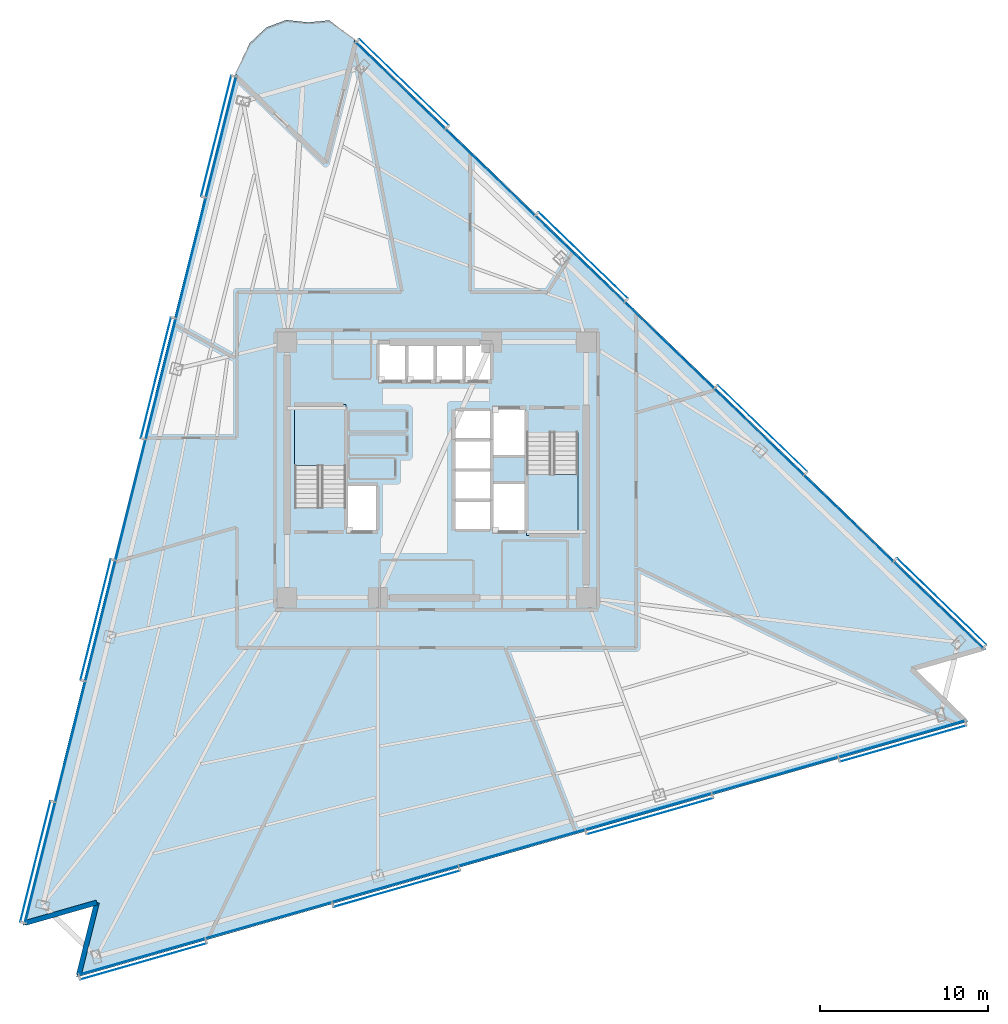
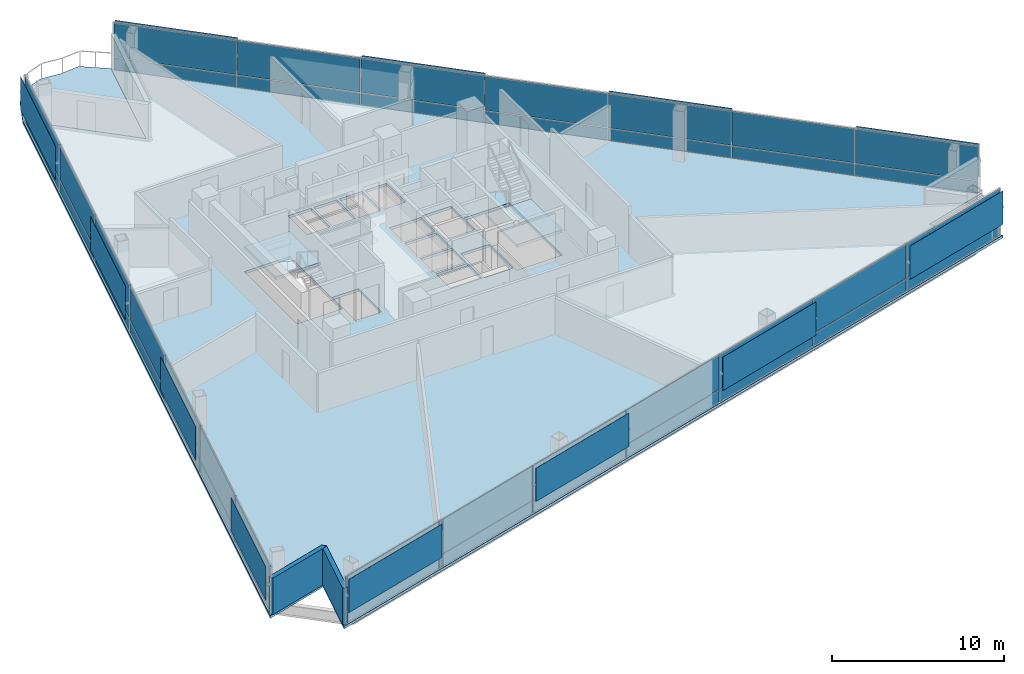
# One storey, part 8 of 17: 54 plates, 4 slabs, 2 walls, 5 elements without a shape of their own.
"""IFC4 building model written with IfcOpenShell, lengths in metres."""

import ifcopenshell
import ifcopenshell.guid

model = None  # the IFC model being written
_history = None  # IfcOwnerHistory: only IFC2X3 demands one
_inside = {}  # id of a spatial element -> (the spatial element, [elements in it])
_under = {}  # id of a project, library or spatial element -> (it, [spatial elements below it])
_declared = {}  # id of a project -> (the project, [libraries it declares])
_typed = {}  # id of a type object -> (the type object, [elements of that type])
_made_of = {}  # id of a material, layer set ... -> (it, [elements and type objects made of it])


def new_model(schema):
    """Start an empty IFC model of exactly this schema.

    Asked for "IFC4X3", IfcOpenShell would pick the latest addendum, in which some entities
    have other attributes; the version numbers below select the first issue.
    IFC2X3 requires an IfcOwnerHistory on every rooted entity: one is made here for all.
    """
    global model, _history
    if schema == "IFC4X3":
        model = ifcopenshell.file(schema_version=(4, 3, 0, 0))
    else:
        model = ifcopenshell.file(schema=schema)
    _inside.clear()
    _under.clear()
    _declared.clear()
    _typed.clear()
    _made_of.clear()
    _history = None
    if model.schema == "IFC2X3":
        org = make("IfcOrganization", Name="unknown")
        user = make(
            "IfcPersonAndOrganization",
            ThePerson=make("IfcPerson", FamilyName="unknown"),
            TheOrganization=org,
        )
        app = make(
            "IfcApplication",
            ApplicationDeveloper=org,
            Version="unknown",
            ApplicationFullName="unknown",
            ApplicationIdentifier="unknown",
        )
        _history = make(
            "IfcOwnerHistory",
            OwningUser=user,
            OwningApplication=app,
            ChangeAction="ADDED",
            CreationDate=0,
        )
    return model


def make(cls, **values):
    """One entity of the class cls with the attributes given. An attribute that is None is left unset."""
    return model.create_entity(
        cls, **{name: value for name, value in values.items() if value is not None}
    )


def rooted(cls, **values):
    """An entity with a GlobalId (a new one), such as an element, a storey or a relation."""
    return make(cls, GlobalId=ifcopenshell.guid.new(), OwnerHistory=_history, **values)


def si_unit(unit_type, name, prefix=None):
    """IfcSIUnit, for example si_unit("LENGTHUNIT", "METRE", prefix="MILLI")."""
    return make("IfcSIUnit", UnitType=unit_type, Prefix=prefix, Name=name)


def assignment(units):
    """IfcUnitAssignment: the units of a project."""
    return None if units is None else make("IfcUnitAssignment", Units=units)


def point(xyz):
    """IfcCartesianPoint."""
    return None if xyz is None else make("IfcCartesianPoint", Coordinates=xyz)


def direction(xyz):
    """IfcDirection."""
    return None if xyz is None else make("IfcDirection", DirectionRatios=xyz)


def frame(location, z_axis=None, x_axis=None):
    """IfcAxis2Placement3D, a coordinate frame: its origin and axes. An axis left out is left unset."""
    return make(
        "IfcAxis2Placement3D",
        Location=point(location),
        Axis=direction(z_axis),
        RefDirection=direction(x_axis),
    )


def frame_2d(location, x_axis=None):
    """IfcAxis2Placement2D, a coordinate frame in the plane: its origin and x axis."""
    return make(
        "IfcAxis2Placement2D", Location=point(location), RefDirection=direction(x_axis)
    )


def origin():
    """The frame at (0, 0, 0) with its axes left unset."""
    return frame((0.0, 0.0, 0.0))


def origin_2d():
    """The frame at (0, 0) in the plane with its x axis left unset."""
    return frame_2d((0.0, 0.0))


def place(relative_to, where):
    """IfcLocalPlacement: puts the frame where relative to a parent placement (None: the world)."""
    return make(
        "IfcLocalPlacement", PlacementRelTo=relative_to, RelativePlacement=where
    )


def context(
    kind, dimensions, precision=None, world=None, true_north=None, identifier=None
):
    """IfcGeometricRepresentationContext, for example the 3D "Model" context."""
    return make(
        "IfcGeometricRepresentationContext",
        ContextIdentifier=identifier,
        ContextType=kind,
        CoordinateSpaceDimension=dimensions,
        Precision=precision,
        WorldCoordinateSystem=world,
        TrueNorth=true_north,
    )


def subcontext(parent, identifier, kind, view, scale=None):
    """IfcGeometricRepresentationSubContext, for example "Body" below "Model"."""
    return make(
        "IfcGeometricRepresentationSubContext",
        ContextIdentifier=identifier,
        ContextType=kind,
        ParentContext=parent,
        TargetScale=scale,
        TargetView=view,
    )


def project(units=None, contexts=None):
    """IfcProject with its units and contexts."""
    return rooted(
        "IfcProject",
        Name="project",
        RepresentationContexts=contexts,
        UnitsInContext=assignment(units),
    )


def spatial(cls, under=None, at=None, **own):
    """A site, building, storey or space (cls), placed at a placement, below another one or the project."""
    s = rooted(cls, ObjectPlacement=at, **own)
    if under is not None:
        _under.setdefault(under.id(), (under, []))[1].append(s)
    return s


def polyline(points):
    """IfcPolyline through the points."""
    return make("IfcPolyline", Points=[point(p) for p in points])


def profile(cls, at=None, kind="AREA", **sizes):
    """A parametric profile (cls). Its sizes go by their IFC names, for example OverallWidth=200.0."""
    return make(cls, ProfileType=kind, Position=at, **sizes)


def rectangle(**sizes):
    """IfcRectangleProfileDef."""
    return profile("IfcRectangleProfileDef", **sizes)


def outline(outer, holes=None, kind="AREA"):
    """IfcArbitraryClosedProfileDef: a profile drawn as a closed curve; with holes, ...WithVoids."""
    if holes is None:
        return make("IfcArbitraryClosedProfileDef", ProfileType=kind, OuterCurve=outer)
    return make(
        "IfcArbitraryProfileDefWithVoids",
        ProfileType=kind,
        OuterCurve=outer,
        InnerCurves=holes,
    )


def extrude(swept, where, along, depth):
    """IfcExtrudedAreaSolid: the profile swept, set in the frame where, extruded along a direction by depth."""
    return make(
        "IfcExtrudedAreaSolid",
        SweptArea=swept,
        Position=where,
        ExtrudedDirection=direction(along),
        Depth=depth,
    )


def shape(context_of_items, identifier, shape_type, items):
    """IfcShapeRepresentation: the items that make up one representation, for example the "Body"."""
    return make(
        "IfcShapeRepresentation",
        ContextOfItems=context_of_items,
        RepresentationIdentifier=identifier,
        RepresentationType=shape_type,
        Items=items,
    )


def material(Name=None, Category=None):
    """IfcMaterial."""
    return make("IfcMaterial", Name=Name, Category=Category)


def layer(
    of_material, thickness, ventilated=None, Name=None, Category=None, Priority=None
):
    """IfcMaterialLayer: one layer of a wall or slab, of a material (None: an air gap)."""
    return make(
        "IfcMaterialLayer",
        Material=of_material,
        LayerThickness=thickness,
        IsVentilated=ventilated,
        Name=Name,
        Category=Category,
        Priority=Priority,
    )


def layer_set(layers, Name=None):
    """IfcMaterialLayerSet."""
    return make("IfcMaterialLayerSet", MaterialLayers=layers, LayerSetName=Name)


def made_of(thing, what):
    """Note that an element or type object is made of a material, layer set ...; save() writes the relation."""
    if what is not None:
        _made_of.setdefault(what.id(), (what, []))[1].append(thing)
    return thing


def type_object(cls, material=None, **own):
    """A type object (cls), such as IfcWallType, which elements share."""
    return made_of(rooted(cls, **own), material)


def element(
    cls,
    number,
    at=None,
    inside=None,
    cuts=None,
    type_object=None,
    material=None,
    context=None,
    identifier="Body",
    shape_type=None,
    held_by="IfcProductDefinitionShape",
    body=None,
    shapes=None,
    **own,
):
    """One element of the class cls, such as IfcWall. Its Tag is "e" and its number.

    at: its placement. inside: the storey or other place that contains it. cuts: it is an
    opening in that element (IfcRelVoidsElement). A single representation is given by context,
    identifier, shape_type and body (its items); several are given by shapes. held_by: the class
    of the entity that holds the representations. save() writes the other relations.
    """
    e = rooted(cls, Tag="e%d" % number, ObjectPlacement=at, **own)
    if body is not None:
        shapes = [shape(context, identifier, shape_type, body)]
    if shapes is not None:
        e.Representation = make(held_by, Representations=shapes)
    if inside is not None:
        _inside.setdefault(inside.id(), (inside, []))[1].append(e)
    if cuts is not None:
        rooted(
            "IfcRelVoidsElement", RelatingBuildingElement=cuts, RelatedOpeningElement=e
        )
    if type_object is not None:
        _typed.setdefault(type_object.id(), (type_object, []))[1].append(e)
    return made_of(e, material)


def aggregate(whole, parts):
    """IfcRelAggregates: a whole, such as a stair, and the parts it consists of."""
    return rooted("IfcRelAggregates", RelatingObject=whole, RelatedObjects=parts)


def save(model, path):
    """Write the relations noted so far, then the file.

    IfcRelAggregates (storeys below a building ...), IfcRelContainedInSpatialStructure (elements
    in a storey), IfcRelDefinesByType, IfcRelAssociatesMaterial and IfcRelDeclares: one each for
    every whole, place, type object, material and project.
    """
    for whole, parts in _under.values():
        aggregate(whole, parts)
    for where, things in _inside.values():
        rooted(
            "IfcRelContainedInSpatialStructure",
            RelatedElements=things,
            RelatingStructure=where,
        )
    for kind, things in _typed.values():
        rooted("IfcRelDefinesByType", RelatedObjects=things, RelatingType=kind)
    for what, things in _made_of.values():
        rooted("IfcRelAssociatesMaterial", RelatedObjects=things, RelatingMaterial=what)
    for by, libraries in _declared.values():
        rooted("IfcRelDeclares", RelatingContext=by, RelatedDefinitions=libraries)
    model.write(path)


model = new_model("IFC4")

# Units and contexts
model_context = context("Model", 3, precision=1e-05, world=origin(), true_north=direction((0.0, 1.0)))
body_context = subcontext(model_context, "Body", "Model", "MODEL_VIEW")
ifc_project = project(units=[si_unit("LENGTHUNIT", "METRE"), si_unit("AREAUNIT", "SQUARE_METRE"), si_unit("VOLUMEUNIT", "CUBIC_METRE"), si_unit("PLANEANGLEUNIT", "RADIAN"), si_unit("MASSUNIT", "GRAM", prefix="KILO")], contexts=[model_context])

# Site, building, storey
site_placement = place(None, origin())
site = spatial("IfcSite", under=ifc_project, at=site_placement, CompositionType="ELEMENT")
building_placement = place(site_placement, origin())
building = spatial("IfcBuilding", under=site, at=building_placement, Name="Tharavind Bronze Gate", CompositionType="ELEMENT")
storey_placement = place(building_placement, frame((0.0, 0.0, 93.300048828125)))
storey = spatial("IfcBuildingStorey", under=building, at=storey_placement, Name="L23", CompositionType="ELEMENT", Elevation=93.300048828125)

# Plates
ifc_material_1 = material(Name="Perforated Bronze Alloy", Category="bronze")
ifc_layer_1 = layer(ifc_material_1, 0.011962890625)
ifc_layer_set_1 = layer_set([ifc_layer_1], Name="Perforated Bronze Alloy")
plate_type_1 = type_object("IfcPlateType", Name="BRONZE PERFORATED SOLAR SCREEN", PredefinedType="USERDEFINED", material=ifc_layer_set_1)
for number, where, z_axis, x_axis, name in (
    (1, (-13.11669921875, 19.86865234375, 0.966552734375), (0.0, 0.0, 1.0), (-0.2419218956, -0.970295726276, 0.0), "CW-L23-S1 perforated bronze solar screen 1"),
    (2, (-16.7041015625, 5.480712890625, 0.966552734375), (0.0, 0.0, 1.0), (-0.2419218956, -0.970295726276, 0.0), "CW-L23-S1 perforated bronze solar screen 3"),
    (3, (-20.29150390625, -8.9072265625, 0.966552734375), (0.0, 0.0, 1.0), (-0.2419218956, -0.970295726276, 0.0), "CW-L23-S1 perforated bronze solar screen 5"),
    (4, (-23.878662109375, -23.295166015625, 0.966552734375), (0.0, 0.0, 1.0), (-0.2419218956, -0.970295726276, 0.0), "CW-L23-S1 perforated bronze solar screen 7"),
):
    element("IfcPlate", number, at=place(storey_placement, frame(where, z_axis=z_axis, x_axis=x_axis)), inside=storey, type_object=plate_type_1, Name=name, ObjectType="SCREEN", PredefinedType="USERDEFINED", context=body_context, shape_type="SweptSolid", body=[
        extrude(rectangle(XDim=7.394287109375, YDim=0.011962890625, at=origin_2d()), origin(), (0.0, 0.0, 1.0), 2.376953125),
    ])
for number, where, z_axis, x_axis, name in (
    (5, (-17.447509765625, -29.251220703125, 0.966552734375), (0.0, 0.0, 1.0), (0.961261695938, 0.275637355817, 0.0), "CW-L23-S2 perforated bronze solar screen 1"),
    (6, (-2.380615234375, -24.930908203125, 0.966552734375), (0.0, 0.0, 1.0), (0.961261695938, 0.275637355817, 0.0), "CW-L23-S2 perforated bronze solar screen 3"),
    (7, (12.686279296875, -20.610595703125, 0.966552734375), (0.0, 0.0, 1.0), (0.961261695938, 0.275637355817, 0.0), "CW-L23-S2 perforated bronze solar screen 5"),
    (8, (27.75341796875, -16.290283203125, 0.966552734375), (0.0, 0.0, 1.0), (0.961261695938, 0.275637355817, 0.0), "CW-L23-S2 perforated bronze solar screen 7"),
):
    element("IfcPlate", number, at=place(storey_placement, frame(where, z_axis=z_axis, x_axis=x_axis)), inside=storey, type_object=plate_type_1, Name=name, ObjectType="SCREEN", PredefinedType="USERDEFINED", context=body_context, shape_type="SweptSolid", body=[
        extrude(rectangle(XDim=7.817138671875, YDim=0.011962890625, at=origin_2d()), origin(), (0.0, 0.0, 1.0), 2.376953125),
    ])
for number, where, z_axis, x_axis, name in (
    (9, (30.05126953125, -7.8310546875, 0.966552734375), (0.0, 0.0, 1.0), (-0.719341012745, 0.694657114973, 0.0), "CW-L23-S3 perforated bronze solar screen 1"),
    (10, (19.384521484375, 2.469482421875, 0.966552734375), (0.0, 0.0, 1.0), (-0.719341012745, 0.694657114973, 0.0), "CW-L23-S3 perforated bronze solar screen 3"),
    (11, (8.718017578125, 12.770263671875, 0.966552734375), (0.0, 0.0, 1.0), (-0.719341012745, 0.694657114973, 0.0), "CW-L23-S3 perforated bronze solar screen 5"),
    (12, (-1.94873046875, 23.07080078125, 0.966552734375), (0.0, 0.0, 1.0), (-0.719341012745, 0.694657114973, 0.0), "CW-L23-S3 perforated bronze solar screen 7"),
):
    element("IfcPlate", number, at=place(storey_placement, frame(where, z_axis=z_axis, x_axis=x_axis)), inside=storey, type_object=plate_type_1, Name=name, ObjectType="SCREEN", PredefinedType="USERDEFINED", context=body_context, shape_type="SweptSolid", body=[
        extrude(rectangle(XDim=7.394287109375, YDim=0.011962890625, at=origin_2d()), origin(), (0.0, 0.0, 1.0), 2.376953125),
    ])

# Curtain wall, plates
ifc_material_2 = material(Name="Anodised Bronze Aluminium", Category="aluminium")
ifc_layer_2 = layer(ifc_material_2, 0.219970703125)
ifc_layer_set_2 = layer_set([ifc_layer_2], Name="Anodised Bronze Aluminium")
curtain_wall_type = type_object("IfcCurtainWallType", Name="UNITISED CURTAIN WALL LOWER OFFICE", PredefinedType="USERDEFINED", material=ifc_layer_set_2)
curtain_wall_1_placement = place(storey_placement, origin())
curtain_wall_1 = element("IfcCurtainWall", 13, at=curtain_wall_1_placement, inside=storey, type_object=curtain_wall_type, Name="L23 unitised curtain wall lower office CW-L23-S1", ObjectType="UNITISED CURTAIN WALL", PredefinedType="USERDEFINED")
ifc_material_3 = material(Name="Patinated Bronze Alloy Sheet", Category="bronze")
ifc_layer_3 = layer(ifc_material_3, 0.01611328125)
ifc_layer_set_3 = layer_set([ifc_layer_3], Name="Patinated Bronze Alloy Sheet")
plate_type_2 = type_object("IfcPlateType", Name="BRONZE SPANDREL CLADDING PANEL 16", PredefinedType="CURTAIN_PANEL", material=ifc_layer_set_3)
plate_1_placement = place(storey_placement, frame((-12.83056640625, 19.797119140625, 0.0263671875), z_axis=(0.0, 0.0, 1.0), x_axis=(-0.2419218956, -0.970295726276, 0.0)))
plate_1 = element("IfcPlate", 14, at=plate_1_placement, type_object=plate_type_2, Name="CW-L23-S1 bronze spandrel panel 1", PredefinedType="CURTAIN_PANEL", context=body_context, shape_type="SweptSolid", body=[
    extrude(rectangle(XDim=7.361083984375, YDim=0.01611328125, at=origin_2d()), origin(), (0.0, 0.0, 1.0), 0.846923828125),
])
plate_2_placement = place(storey_placement, frame((-14.624267578125, 12.603271484375, 0.0263671875), z_axis=(0.0, 0.0, 1.0), x_axis=(-0.2419218956, -0.970295726276, 0.0)))
plate_2 = element("IfcPlate", 15, at=plate_2_placement, type_object=plate_type_2, Name="CW-L23-S1 bronze spandrel panel 2", PredefinedType="CURTAIN_PANEL", context=body_context, shape_type="SweptSolid", body=[
    extrude(rectangle(XDim=7.361083984375, YDim=0.01611328125, at=origin_2d()), origin(), (0.0, 0.0, 1.0), 0.846923828125),
])
plate_3_placement = place(storey_placement, frame((-16.417724609375, 5.4091796875, 0.0263671875), z_axis=(0.0, 0.0, 1.0), x_axis=(-0.2419218956, -0.970295726276, 0.0)))
plate_3 = element("IfcPlate", 16, at=plate_3_placement, type_object=plate_type_2, Name="CW-L23-S1 bronze spandrel panel 3", PredefinedType="CURTAIN_PANEL", context=body_context, shape_type="SweptSolid", body=[
    extrude(rectangle(XDim=7.361083984375, YDim=0.01611328125, at=origin_2d()), origin(), (0.0, 0.0, 1.0), 0.846923828125),
])
plate_4_placement = place(storey_placement, frame((-18.21142578125, -1.78466796875, 0.0263671875), z_axis=(0.0, 0.0, 1.0), x_axis=(-0.2419218956, -0.970295726276, 0.0)))
plate_4 = element("IfcPlate", 17, at=plate_4_placement, type_object=plate_type_2, Name="CW-L23-S1 bronze spandrel panel 4", PredefinedType="CURTAIN_PANEL", context=body_context, shape_type="SweptSolid", body=[
    extrude(rectangle(XDim=7.361083984375, YDim=0.01611328125, at=origin_2d()), origin(), (0.0, 0.0, 1.0), 0.846923828125),
])
plate_5_placement = place(storey_placement, frame((-20.005126953125, -8.978759765625, 0.0263671875), z_axis=(0.0, 0.0, 1.0), x_axis=(-0.2419218956, -0.970295726276, 0.0)))
plate_5 = element("IfcPlate", 18, at=plate_5_placement, type_object=plate_type_2, Name="CW-L23-S1 bronze spandrel panel 5", PredefinedType="CURTAIN_PANEL", context=body_context, shape_type="SweptSolid", body=[
    extrude(rectangle(XDim=7.361083984375, YDim=0.01611328125, at=origin_2d()), origin(), (0.0, 0.0, 1.0), 0.846923828125),
])
plate_6_placement = place(storey_placement, frame((-21.798828125, -16.172607421875, 0.0263671875), z_axis=(0.0, 0.0, 1.0), x_axis=(-0.2419218956, -0.970295726276, 0.0)))
plate_6 = element("IfcPlate", 19, at=plate_6_placement, type_object=plate_type_2, Name="CW-L23-S1 bronze spandrel panel 6", PredefinedType="CURTAIN_PANEL", context=body_context, shape_type="SweptSolid", body=[
    extrude(rectangle(XDim=7.361083984375, YDim=0.01611328125, at=origin_2d()), origin(), (0.0, 0.0, 1.0), 0.846923828125),
])
plate_7_placement = place(storey_placement, frame((-23.592529296875, -23.36669921875, 0.0263671875), z_axis=(0.0, 0.0, 1.0), x_axis=(-0.2419218956, -0.970295726276, 0.0)))
plate_7 = element("IfcPlate", 20, at=plate_7_placement, type_object=plate_type_2, Name="CW-L23-S1 bronze spandrel panel 7", PredefinedType="CURTAIN_PANEL", context=body_context, shape_type="SweptSolid", body=[
    extrude(rectangle(XDim=7.361083984375, YDim=0.01611328125, at=origin_2d()), origin(), (0.0, 0.0, 1.0), 0.846923828125),
])

curtain_wall_2_placement = place(storey_placement, origin())
curtain_wall_2 = element("IfcCurtainWall", 21, at=curtain_wall_2_placement, inside=storey, type_object=curtain_wall_type, Name="L23 unitised curtain wall lower office CW-L23-S2", ObjectType="UNITISED CURTAIN WALL", PredefinedType="USERDEFINED")
plate_8_placement = place(storey_placement, frame((-17.52880859375, -28.9677734375, 0.0263671875), z_axis=(0.0, 0.0, 1.0), x_axis=(0.961261695938, 0.275637355817, 0.0)))
plate_8 = element("IfcPlate", 22, at=plate_8_placement, type_object=plate_type_2, Name="CW-L23-S2 bronze spandrel panel 1", PredefinedType="CURTAIN_PANEL", context=body_context, shape_type="SweptSolid", body=[
    extrude(rectangle(XDim=7.7841796875, YDim=0.01611328125, at=origin_2d()), origin(), (0.0, 0.0, 1.0), 0.846923828125),
])
plate_9_placement = place(storey_placement, frame((-9.995361328125, -26.8076171875, 0.0263671875), z_axis=(0.0, 0.0, 1.0), x_axis=(0.961261695938, 0.275637355817, 0.0)))
plate_9 = element("IfcPlate", 23, at=plate_9_placement, type_object=plate_type_2, Name="CW-L23-S2 bronze spandrel panel 2", PredefinedType="CURTAIN_PANEL", context=body_context, shape_type="SweptSolid", body=[
    extrude(rectangle(XDim=7.7841796875, YDim=0.01611328125, at=origin_2d()), origin(), (0.0, 0.0, 1.0), 0.846923828125),
])
plate_10_placement = place(storey_placement, frame((-2.4619140625, -24.647216796875, 0.0263671875), z_axis=(0.0, 0.0, 1.0), x_axis=(0.961261695938, 0.275637355817, 0.0)))
plate_10 = element("IfcPlate", 24, at=plate_10_placement, type_object=plate_type_2, Name="CW-L23-S2 bronze spandrel panel 3", PredefinedType="CURTAIN_PANEL", context=body_context, shape_type="SweptSolid", body=[
    extrude(rectangle(XDim=7.7841796875, YDim=0.01611328125, at=origin_2d()), origin(), (0.0, 0.0, 1.0), 0.846923828125),
])
plate_11_placement = place(storey_placement, frame((5.07177734375, -22.487060546875, 0.0263671875), z_axis=(0.0, 0.0, 1.0), x_axis=(0.961261695938, 0.275637355817, 0.0)))
plate_11 = element("IfcPlate", 25, at=plate_11_placement, type_object=plate_type_2, Name="CW-L23-S2 bronze spandrel panel 4", PredefinedType="CURTAIN_PANEL", context=body_context, shape_type="SweptSolid", body=[
    extrude(rectangle(XDim=7.7841796875, YDim=0.01611328125, at=origin_2d()), origin(), (0.0, 0.0, 1.0), 0.846923828125),
])
plate_12_placement = place(storey_placement, frame((12.60498046875, -20.326904296875, 0.0263671875), z_axis=(0.0, 0.0, 1.0), x_axis=(0.961261695938, 0.275637355817, 0.0)))
plate_12 = element("IfcPlate", 26, at=plate_12_placement, type_object=plate_type_2, Name="CW-L23-S2 bronze spandrel panel 5", PredefinedType="CURTAIN_PANEL", context=body_context, shape_type="SweptSolid", body=[
    extrude(rectangle(XDim=7.7841796875, YDim=0.01611328125, at=origin_2d()), origin(), (0.0, 0.0, 1.0), 0.846923828125),
])
plate_13_placement = place(storey_placement, frame((20.138671875, -18.166748046875, 0.0263671875), z_axis=(0.0, 0.0, 1.0), x_axis=(0.961261695938, 0.275637355817, 0.0)))
plate_13 = element("IfcPlate", 27, at=plate_13_placement, type_object=plate_type_2, Name="CW-L23-S2 bronze spandrel panel 6", PredefinedType="CURTAIN_PANEL", context=body_context, shape_type="SweptSolid", body=[
    extrude(rectangle(XDim=7.7841796875, YDim=0.01611328125, at=origin_2d()), origin(), (0.0, 0.0, 1.0), 0.846923828125),
])
plate_14_placement = place(storey_placement, frame((27.672119140625, -16.006591796875, 0.0263671875), z_axis=(0.0, 0.0, 1.0), x_axis=(0.961261695938, 0.275637355817, 0.0)))
plate_14 = element("IfcPlate", 28, at=plate_14_placement, type_object=plate_type_2, Name="CW-L23-S2 bronze spandrel panel 7", PredefinedType="CURTAIN_PANEL", context=body_context, shape_type="SweptSolid", body=[
    extrude(rectangle(XDim=7.7841796875, YDim=0.01611328125, at=origin_2d()), origin(), (0.0, 0.0, 1.0), 0.846923828125),
])

curtain_wall_3_placement = place(storey_placement, origin())
curtain_wall_3 = element("IfcCurtainWall", 29, at=curtain_wall_3_placement, inside=storey, type_object=curtain_wall_type, Name="L23 unitised curtain wall lower office CW-L23-S3", ObjectType="UNITISED CURTAIN WALL", PredefinedType="USERDEFINED")
plate_15_placement = place(storey_placement, frame((29.84619140625, -8.043212890625, 0.0263671875), z_axis=(0.0, 0.0, 1.0), x_axis=(-0.719341012745, 0.694657114973, 0.0)))
plate_15 = element("IfcPlate", 30, at=plate_15_placement, type_object=plate_type_2, Name="CW-L23-S3 bronze spandrel panel 1", PredefinedType="CURTAIN_PANEL", context=body_context, shape_type="SweptSolid", body=[
    extrude(rectangle(XDim=7.361083984375, YDim=0.01611328125, at=origin_2d()), origin(), (0.0, 0.0, 1.0), 0.846923828125),
])
plate_16_placement = place(storey_placement, frame((24.512939453125, -2.892822265625, 0.0263671875), z_axis=(0.0, 0.0, 1.0), x_axis=(-0.719341012745, 0.694657114973, 0.0)))
plate_16 = element("IfcPlate", 31, at=plate_16_placement, type_object=plate_type_2, Name="CW-L23-S3 bronze spandrel panel 2", PredefinedType="CURTAIN_PANEL", context=body_context, shape_type="SweptSolid", body=[
    extrude(rectangle(XDim=7.361083984375, YDim=0.01611328125, at=origin_2d()), origin(), (0.0, 0.0, 1.0), 0.846923828125),
])
plate_17_placement = place(storey_placement, frame((19.1796875, 2.25732421875, 0.0263671875), z_axis=(0.0, 0.0, 1.0), x_axis=(-0.719341012745, 0.694657114973, 0.0)))
plate_17 = element("IfcPlate", 32, at=plate_17_placement, type_object=plate_type_2, Name="CW-L23-S3 bronze spandrel panel 3", PredefinedType="CURTAIN_PANEL", context=body_context, shape_type="SweptSolid", body=[
    extrude(rectangle(XDim=7.361083984375, YDim=0.01611328125, at=origin_2d()), origin(), (0.0, 0.0, 1.0), 0.846923828125),
])
plate_18_placement = place(storey_placement, frame((13.84619140625, 7.40771484375, 0.0263671875), z_axis=(0.0, 0.0, 1.0), x_axis=(-0.719341012745, 0.694657114973, 0.0)))
plate_18 = element("IfcPlate", 33, at=plate_18_placement, type_object=plate_type_2, Name="CW-L23-S3 bronze spandrel panel 4", PredefinedType="CURTAIN_PANEL", context=body_context, shape_type="SweptSolid", body=[
    extrude(rectangle(XDim=7.361083984375, YDim=0.01611328125, at=origin_2d()), origin(), (0.0, 0.0, 1.0), 0.846923828125),
])
plate_19_placement = place(storey_placement, frame((8.512939453125, 12.55810546875, 0.0263671875), z_axis=(0.0, 0.0, 1.0), x_axis=(-0.719341012745, 0.694657114973, 0.0)))
plate_19 = element("IfcPlate", 34, at=plate_19_placement, type_object=plate_type_2, Name="CW-L23-S3 bronze spandrel panel 5", PredefinedType="CURTAIN_PANEL", context=body_context, shape_type="SweptSolid", body=[
    extrude(rectangle(XDim=7.361083984375, YDim=0.01611328125, at=origin_2d()), origin(), (0.0, 0.0, 1.0), 0.846923828125),
])
plate_20_placement = place(storey_placement, frame((3.1796875, 17.70849609375, 0.0263671875), z_axis=(0.0, 0.0, 1.0), x_axis=(-0.719341012745, 0.694657114973, 0.0)))
plate_20 = element("IfcPlate", 35, at=plate_20_placement, type_object=plate_type_2, Name="CW-L23-S3 bronze spandrel panel 6", PredefinedType="CURTAIN_PANEL", context=body_context, shape_type="SweptSolid", body=[
    extrude(rectangle(XDim=7.361083984375, YDim=0.01611328125, at=origin_2d()), origin(), (0.0, 0.0, 1.0), 0.846923828125),
])
plate_21_placement = place(storey_placement, frame((-2.15380859375, 22.858642578125, 0.0263671875), z_axis=(0.0, 0.0, 1.0), x_axis=(-0.719341012745, 0.694657114973, 0.0)))
plate_21 = element("IfcPlate", 36, at=plate_21_placement, type_object=plate_type_2, Name="CW-L23-S3 bronze spandrel panel 7", PredefinedType="CURTAIN_PANEL", context=body_context, shape_type="SweptSolid", body=[
    extrude(rectangle(XDim=7.361083984375, YDim=0.01611328125, at=origin_2d()), origin(), (0.0, 0.0, 1.0), 0.846923828125),
])

# Plate
ifc_material_4 = material(Name="Low-E Double Glazing", Category="glass")
ifc_layer_4 = layer(ifc_material_4, 0.031982421875)
ifc_layer_set_4 = layer_set([ifc_layer_4], Name="Low-E Double Glazing")
plate_type_3 = type_object("IfcPlateType", Name="DOUBLE GLAZED FACADE PANEL 32", PredefinedType="CURTAIN_PANEL", material=ifc_layer_set_4)
plate_22_placement = place(storey_placement, frame((-12.83056640625, 19.797119140625, 0.926513671875), z_axis=(0.0, 0.0, 1.0), x_axis=(-0.2419218956, -0.970295726276, 0.0)))
plate_22 = element("IfcPlate", 37, at=plate_22_placement, type_object=plate_type_3, Name="CW-L23-S1 vision glazing panel 1", PredefinedType="CURTAIN_PANEL", context=body_context, shape_type="SweptSolid", body=[
    extrude(rectangle(XDim=7.361083984375, YDim=0.031982421875, at=origin_2d()), origin(), (0.0, 0.0, 1.0), 2.45703125),
])

plate_23_placement = place(storey_placement, frame((-14.624267578125, 12.603271484375, 0.926513671875), z_axis=(0.0, 0.0, 1.0), x_axis=(-0.2419218956, -0.970295726276, 0.0)))
plate_23 = element("IfcPlate", 38, at=plate_23_placement, type_object=plate_type_3, Name="CW-L23-S1 vision glazing panel 2", PredefinedType="CURTAIN_PANEL", context=body_context, shape_type="SweptSolid", body=[
    extrude(rectangle(XDim=7.361083984375, YDim=0.031982421875, at=origin_2d()), origin(), (0.0, 0.0, 1.0), 2.45703125),
])

plate_24_placement = place(storey_placement, frame((-16.417724609375, 5.4091796875, 0.926513671875), z_axis=(0.0, 0.0, 1.0), x_axis=(-0.2419218956, -0.970295726276, 0.0)))
plate_24 = element("IfcPlate", 39, at=plate_24_placement, type_object=plate_type_3, Name="CW-L23-S1 vision glazing panel 3", PredefinedType="CURTAIN_PANEL", context=body_context, shape_type="SweptSolid", body=[
    extrude(rectangle(XDim=7.361083984375, YDim=0.031982421875, at=origin_2d()), origin(), (0.0, 0.0, 1.0), 2.45703125),
])

plate_25_placement = place(storey_placement, frame((-18.21142578125, -1.78466796875, 0.926513671875), z_axis=(0.0, 0.0, 1.0), x_axis=(-0.2419218956, -0.970295726276, 0.0)))
plate_25 = element("IfcPlate", 40, at=plate_25_placement, type_object=plate_type_3, Name="CW-L23-S1 vision glazing panel 4", PredefinedType="CURTAIN_PANEL", context=body_context, shape_type="SweptSolid", body=[
    extrude(rectangle(XDim=7.361083984375, YDim=0.031982421875, at=origin_2d()), origin(), (0.0, 0.0, 1.0), 2.45703125),
])

plate_26_placement = place(storey_placement, frame((-20.005126953125, -8.978759765625, 0.926513671875), z_axis=(0.0, 0.0, 1.0), x_axis=(-0.2419218956, -0.970295726276, 0.0)))
plate_26 = element("IfcPlate", 41, at=plate_26_placement, type_object=plate_type_3, Name="CW-L23-S1 vision glazing panel 5", PredefinedType="CURTAIN_PANEL", context=body_context, shape_type="SweptSolid", body=[
    extrude(rectangle(XDim=7.361083984375, YDim=0.031982421875, at=origin_2d()), origin(), (0.0, 0.0, 1.0), 2.45703125),
])

plate_27_placement = place(storey_placement, frame((-21.798828125, -16.172607421875, 0.926513671875), z_axis=(0.0, 0.0, 1.0), x_axis=(-0.2419218956, -0.970295726276, 0.0)))
plate_27 = element("IfcPlate", 42, at=plate_27_placement, type_object=plate_type_3, Name="CW-L23-S1 vision glazing panel 6", PredefinedType="CURTAIN_PANEL", context=body_context, shape_type="SweptSolid", body=[
    extrude(rectangle(XDim=7.361083984375, YDim=0.031982421875, at=origin_2d()), origin(), (0.0, 0.0, 1.0), 2.45703125),
])

plate_28_placement = place(storey_placement, frame((-23.592529296875, -23.36669921875, 0.926513671875), z_axis=(0.0, 0.0, 1.0), x_axis=(-0.2419218956, -0.970295726276, 0.0)))
plate_28 = element("IfcPlate", 43, at=plate_28_placement, type_object=plate_type_3, Name="CW-L23-S1 vision glazing panel 7", PredefinedType="CURTAIN_PANEL", context=body_context, shape_type="SweptSolid", body=[
    extrude(rectangle(XDim=7.361083984375, YDim=0.031982421875, at=origin_2d()), origin(), (0.0, 0.0, 1.0), 2.45703125),
])

aggregate(curtain_wall_1, [plate_1, plate_22, plate_2, plate_23, plate_3, plate_24, plate_4, plate_25, plate_5, plate_26, plate_6, plate_27, plate_7, plate_28])

plate_29_placement = place(storey_placement, frame((-17.52880859375, -28.9677734375, 0.926513671875), z_axis=(0.0, 0.0, 1.0), x_axis=(0.961261695938, 0.275637355817, 0.0)))
plate_29 = element("IfcPlate", 44, at=plate_29_placement, type_object=plate_type_3, Name="CW-L23-S2 vision glazing panel 1", PredefinedType="CURTAIN_PANEL", context=body_context, shape_type="SweptSolid", body=[
    extrude(rectangle(XDim=7.7841796875, YDim=0.031982421875, at=origin_2d()), origin(), (0.0, 0.0, 1.0), 2.45703125),
])

plate_30_placement = place(storey_placement, frame((-9.995361328125, -26.8076171875, 0.926513671875), z_axis=(0.0, 0.0, 1.0), x_axis=(0.961261695938, 0.275637355817, 0.0)))
plate_30 = element("IfcPlate", 45, at=plate_30_placement, type_object=plate_type_3, Name="CW-L23-S2 vision glazing panel 2", PredefinedType="CURTAIN_PANEL", context=body_context, shape_type="SweptSolid", body=[
    extrude(rectangle(XDim=7.7841796875, YDim=0.031982421875, at=origin_2d()), origin(), (0.0, 0.0, 1.0), 2.45703125),
])

plate_31_placement = place(storey_placement, frame((-2.4619140625, -24.647216796875, 0.926513671875), z_axis=(0.0, 0.0, 1.0), x_axis=(0.961261695938, 0.275637355817, 0.0)))
plate_31 = element("IfcPlate", 46, at=plate_31_placement, type_object=plate_type_3, Name="CW-L23-S2 vision glazing panel 3", PredefinedType="CURTAIN_PANEL", context=body_context, shape_type="SweptSolid", body=[
    extrude(rectangle(XDim=7.7841796875, YDim=0.031982421875, at=origin_2d()), origin(), (0.0, 0.0, 1.0), 2.45703125),
])

plate_32_placement = place(storey_placement, frame((5.07177734375, -22.487060546875, 0.926513671875), z_axis=(0.0, 0.0, 1.0), x_axis=(0.961261695938, 0.275637355817, 0.0)))
plate_32 = element("IfcPlate", 47, at=plate_32_placement, type_object=plate_type_3, Name="CW-L23-S2 vision glazing panel 4", PredefinedType="CURTAIN_PANEL", context=body_context, shape_type="SweptSolid", body=[
    extrude(rectangle(XDim=7.7841796875, YDim=0.031982421875, at=origin_2d()), origin(), (0.0, 0.0, 1.0), 2.45703125),
])

plate_33_placement = place(storey_placement, frame((12.60498046875, -20.326904296875, 0.926513671875), z_axis=(0.0, 0.0, 1.0), x_axis=(0.961261695938, 0.275637355817, 0.0)))
plate_33 = element("IfcPlate", 48, at=plate_33_placement, type_object=plate_type_3, Name="CW-L23-S2 vision glazing panel 5", PredefinedType="CURTAIN_PANEL", context=body_context, shape_type="SweptSolid", body=[
    extrude(rectangle(XDim=7.7841796875, YDim=0.031982421875, at=origin_2d()), origin(), (0.0, 0.0, 1.0), 2.45703125),
])

plate_34_placement = place(storey_placement, frame((20.138671875, -18.166748046875, 0.926513671875), z_axis=(0.0, 0.0, 1.0), x_axis=(0.961261695938, 0.275637355817, 0.0)))
plate_34 = element("IfcPlate", 49, at=plate_34_placement, type_object=plate_type_3, Name="CW-L23-S2 vision glazing panel 6", PredefinedType="CURTAIN_PANEL", context=body_context, shape_type="SweptSolid", body=[
    extrude(rectangle(XDim=7.7841796875, YDim=0.031982421875, at=origin_2d()), origin(), (0.0, 0.0, 1.0), 2.45703125),
])

plate_35_placement = place(storey_placement, frame((27.672119140625, -16.006591796875, 0.926513671875), z_axis=(0.0, 0.0, 1.0), x_axis=(0.961261695938, 0.275637355817, 0.0)))
plate_35 = element("IfcPlate", 50, at=plate_35_placement, type_object=plate_type_3, Name="CW-L23-S2 vision glazing panel 7", PredefinedType="CURTAIN_PANEL", context=body_context, shape_type="SweptSolid", body=[
    extrude(rectangle(XDim=7.7841796875, YDim=0.031982421875, at=origin_2d()), origin(), (0.0, 0.0, 1.0), 2.45703125),
])

aggregate(curtain_wall_2, [plate_8, plate_29, plate_9, plate_30, plate_10, plate_31, plate_11, plate_32, plate_12, plate_33, plate_13, plate_34, plate_14, plate_35])

plate_36_placement = place(storey_placement, frame((29.84619140625, -8.043212890625, 0.926513671875), z_axis=(0.0, 0.0, 1.0), x_axis=(-0.719341012745, 0.694657114973, 0.0)))
plate_36 = element("IfcPlate", 51, at=plate_36_placement, type_object=plate_type_3, Name="CW-L23-S3 vision glazing panel 1", PredefinedType="CURTAIN_PANEL", context=body_context, shape_type="SweptSolid", body=[
    extrude(rectangle(XDim=7.361083984375, YDim=0.031982421875, at=origin_2d()), origin(), (0.0, 0.0, 1.0), 2.45703125),
])

plate_37_placement = place(storey_placement, frame((24.512939453125, -2.892822265625, 0.926513671875), z_axis=(0.0, 0.0, 1.0), x_axis=(-0.719341012745, 0.694657114973, 0.0)))
plate_37 = element("IfcPlate", 52, at=plate_37_placement, type_object=plate_type_3, Name="CW-L23-S3 vision glazing panel 2", PredefinedType="CURTAIN_PANEL", context=body_context, shape_type="SweptSolid", body=[
    extrude(rectangle(XDim=7.361083984375, YDim=0.031982421875, at=origin_2d()), origin(), (0.0, 0.0, 1.0), 2.45703125),
])

plate_38_placement = place(storey_placement, frame((19.1796875, 2.25732421875, 0.926513671875), z_axis=(0.0, 0.0, 1.0), x_axis=(-0.719341012745, 0.694657114973, 0.0)))
plate_38 = element("IfcPlate", 53, at=plate_38_placement, type_object=plate_type_3, Name="CW-L23-S3 vision glazing panel 3", PredefinedType="CURTAIN_PANEL", context=body_context, shape_type="SweptSolid", body=[
    extrude(rectangle(XDim=7.361083984375, YDim=0.031982421875, at=origin_2d()), origin(), (0.0, 0.0, 1.0), 2.45703125),
])

plate_39_placement = place(storey_placement, frame((13.84619140625, 7.40771484375, 0.926513671875), z_axis=(0.0, 0.0, 1.0), x_axis=(-0.719341012745, 0.694657114973, 0.0)))
plate_39 = element("IfcPlate", 54, at=plate_39_placement, type_object=plate_type_3, Name="CW-L23-S3 vision glazing panel 4", PredefinedType="CURTAIN_PANEL", context=body_context, shape_type="SweptSolid", body=[
    extrude(rectangle(XDim=7.361083984375, YDim=0.031982421875, at=origin_2d()), origin(), (0.0, 0.0, 1.0), 2.45703125),
])

plate_40_placement = place(storey_placement, frame((8.512939453125, 12.55810546875, 0.926513671875), z_axis=(0.0, 0.0, 1.0), x_axis=(-0.719341012745, 0.694657114973, 0.0)))
plate_40 = element("IfcPlate", 55, at=plate_40_placement, type_object=plate_type_3, Name="CW-L23-S3 vision glazing panel 5", PredefinedType="CURTAIN_PANEL", context=body_context, shape_type="SweptSolid", body=[
    extrude(rectangle(XDim=7.361083984375, YDim=0.031982421875, at=origin_2d()), origin(), (0.0, 0.0, 1.0), 2.45703125),
])

plate_41_placement = place(storey_placement, frame((3.1796875, 17.70849609375, 0.926513671875), z_axis=(0.0, 0.0, 1.0), x_axis=(-0.719341012745, 0.694657114973, 0.0)))
plate_41 = element("IfcPlate", 56, at=plate_41_placement, type_object=plate_type_3, Name="CW-L23-S3 vision glazing panel 6", PredefinedType="CURTAIN_PANEL", context=body_context, shape_type="SweptSolid", body=[
    extrude(rectangle(XDim=7.361083984375, YDim=0.031982421875, at=origin_2d()), origin(), (0.0, 0.0, 1.0), 2.45703125),
])

plate_42_placement = place(storey_placement, frame((-2.15380859375, 22.858642578125, 0.926513671875), z_axis=(0.0, 0.0, 1.0), x_axis=(-0.719341012745, 0.694657114973, 0.0)))
plate_42 = element("IfcPlate", 57, at=plate_42_placement, type_object=plate_type_3, Name="CW-L23-S3 vision glazing panel 7", PredefinedType="CURTAIN_PANEL", context=body_context, shape_type="SweptSolid", body=[
    extrude(rectangle(XDim=7.361083984375, YDim=0.031982421875, at=origin_2d()), origin(), (0.0, 0.0, 1.0), 2.45703125),
])

aggregate(curtain_wall_3, [plate_15, plate_36, plate_16, plate_37, plate_17, plate_38, plate_18, plate_39, plate_19, plate_40, plate_20, plate_41, plate_21, plate_42])

# Slab
ifc_material_5 = material(Name="Concrete C40/50", Category="concrete")
ifc_layer_5 = layer(ifc_material_5, 0.179931640625)
ifc_layer_set_5 = layer_set([ifc_layer_5], Name="Concrete C40/50")
slab_type_1 = type_object("IfcSlabType", Name="EXTERIOR BALCONY SLAB 180", PredefinedType="FLOOR", material=ifc_layer_set_5)
slab_1_placement = place(storey_placement, frame((0.0, 0.0, -0.179931640625)))
element("IfcSlab", 58, at=slab_1_placement, inside=storey, type_object=slab_type_1, Name="L23 northeast tree balcony slab", PredefinedType="FLOOR", context=body_context, shape_type="SweptSolid", body=[
    extrude(outline(polyline([(-6.388427734375, 26.752685546875), (-7.6376953125, 26.63525390625), (-8.960693359375, 26.7744140625), (-10.118896484375, 26.33935546875), (-11.130615234375, 25.39306640625), (-11.98876953125, 23.58642578125), (-6.665771484375, 18.446044921875), (-4.87548828125, 25.626220703125), (-6.388427734375, 26.752685546875)])), origin(), (0.0, 0.0, 1.0), 0.179931640625),
])

# Stair, slab
stair_type = type_object("IfcStairType", Name="CORE HALF TURN STAIR 1450", PredefinedType="HALF_TURN_STAIR", material=ifc_material_5)
stair_1_placement = place(storey_placement, origin())
stair_1 = element("IfcStair", 59, at=stair_1_placement, inside=storey, type_object=stair_type, Name="L23 Protected Exit Stair ST1", PredefinedType="HALF_TURN_STAIR")
ifc_layer_6 = layer(ifc_material_5, 0.199951171875)
ifc_layer_set_6 = layer_set([ifc_layer_6], Name="Concrete C40/50")
slab_type_2 = type_object("IfcSlabType", Name="STAIR LANDING SLAB 200", PredefinedType="LANDING", material=ifc_layer_set_6)
slab_2_placement = place(storey_placement, frame((0.0, 0.0, 1.599853515625)))
slab_2 = element("IfcSlab", 60, at=slab_2_placement, type_object=slab_type_2, Name="ST1 landing 1", PredefinedType="LANDING", context=body_context, shape_type="SweptSolid", body=[
    extrude(outline(polyline([(-5.39990234375, 0.27001953125), (-5.39990234375, 3.89990234375), (-8.449951171875, 3.89990234375), (-8.449951171875, 0.27001953125), (-5.39990234375, 0.27001953125)])), origin(), (0.0, 0.0, 1.0), 0.2001953125),
])
aggregate(stair_1, [slab_2])

stair_2_placement = place(storey_placement, origin())
stair_2 = element("IfcStair", 61, at=stair_2_placement, inside=storey, type_object=stair_type, Name="L23 Protected Exit Stair ST2", PredefinedType="HALF_TURN_STAIR")
slab_3_placement = place(storey_placement, frame((0.0, 0.0, 1.599853515625)))
slab_3 = element("IfcSlab", 62, at=slab_3_placement, type_object=slab_type_2, Name="ST2 landing 1", PredefinedType="LANDING", context=body_context, shape_type="SweptSolid", body=[
    extrude(outline(polyline([(5.35009765625, -0.27001953125), (5.35009765625, -3.89990234375), (8.39990234375, -3.89990234375), (8.39990234375, -0.27001953125), (5.35009765625, -0.27001953125)])), origin(), (0.0, 0.0, 1.0), 0.2001953125),
])
aggregate(stair_2, [slab_3])

# Slab
ifc_layer_7 = layer(ifc_material_5, 0.18994140625)
ifc_layer_set_7 = layer_set([ifc_layer_7], Name="Concrete C40/50")
slab_type_3 = type_object("IfcSlabType", Name="STRUCTURAL FLOOR SLAB 190", PredefinedType="FLOOR", material=ifc_layer_set_7)
slab_4_placement = place(storey_placement, frame((0.0, 0.0, -0.18994140625)))
element("IfcSlab", 63, at=slab_4_placement, inside=storey, type_object=slab_type_3, Name="L23 main structural floor slab", PredefinedType="FLOOR", context=body_context, shape_type="SweptSolid", body=[
    extrude(outline(polyline([(-4.87548828125, 25.626220703125), (-6.665771484375, 18.446044921875), (-11.98876953125, 23.58642578125), (-24.628173828125, -27.107421875), (-20.360107421875, -25.883544921875), (-21.434326171875, -30.191650390625), (31.6328125, -14.974853515625), (28.439208984375, -11.890625), (32.70703125, -10.666748046875), (-4.87548828125, 25.626220703125)]), holes=[polyline([(-5.39990234375, -2.215087890625), (-5.39990234375, 3.89990234375), (-8.449951171875, 3.89990234375), (-8.449951171875, -2.215087890625), (-5.39990234375, -2.215087890625)]), polyline([(5.35009765625, 2.215087890625), (5.35009765625, -3.89990234375), (8.39990234375, -3.89990234375), (8.39990234375, 2.215087890625), (5.35009765625, 2.215087890625)]), polyline([(-3.419921875, 5.330078125), (-1.867431640625, 5.330078125), (-1.867431640625, 7.52001953125), (-3.419921875, 7.52001953125), (-3.419921875, 5.330078125)]), polyline([(-1.70751953125, 5.330078125), (-0.155029296875, 5.330078125), (-0.155029296875, 7.52001953125), (-1.70751953125, 7.52001953125), (-1.70751953125, 5.330078125)]), polyline([(0.0048828125, 5.330078125), (1.5576171875, 5.330078125), (1.5576171875, 7.52001953125), (0.0048828125, 7.52001953125), (0.0048828125, 5.330078125)]), polyline([(1.717529296875, 5.330078125), (3.199951171875, 5.330078125), (3.199951171875, 7.52001953125), (1.717529296875, 7.52001953125), (1.717529296875, 5.330078125)]), polyline([(1.080078125, -3.52001953125), (3.199951171875, -3.52001953125), (3.199951171875, -1.8798828125), (1.080078125, -1.8798828125), (1.080078125, -3.52001953125)]), polyline([(1.080078125, -1.719970703125), (3.199951171875, -1.719970703125), (3.199951171875, -0.080078125), (1.080078125, -0.080078125), (1.080078125, -1.719970703125)]), polyline([(1.080078125, 0.080078125), (3.199951171875, 0.080078125), (3.199951171875, 1.719970703125), (1.080078125, 1.719970703125), (1.080078125, 0.080078125)]), polyline([(1.080078125, 1.8798828125), (3.199951171875, 1.8798828125), (3.199951171875, 3.52001953125), (1.080078125, 3.52001953125), (1.080078125, 1.8798828125)]), polyline([(-5.320068359375, -3.6201171875), (-3.580078125, -3.6201171875), (-3.580078125, -0.929931640625), (-5.320068359375, -0.929931640625), (-5.320068359375, -3.6201171875)]), polyline([(3.360107421875, 0.8798828125), (5.27001953125, 0.8798828125), (5.27001953125, 3.6201171875), (3.360107421875, 3.6201171875), (3.360107421875, 0.8798828125)]), polyline([(3.360107421875, -3.6201171875), (5.27001953125, -3.6201171875), (5.27001953125, -0.830078125), (3.360107421875, -0.830078125), (3.360107421875, -3.6201171875)])]), origin(), (0.0, 0.0, 1.0), 0.18994140625),
])

# Walls
ifc_layer_8 = layer(ifc_material_5, 0.300048828125)
ifc_layer_set_8 = layer_set([ifc_layer_8], Name="Concrete C40/50")
wall_type = type_object("IfcWallType", Name="EXTERIOR SPANDREL WALL 300", PredefinedType="STANDARD", material=ifc_layer_set_8)
wall_1_placement = place(storey_placement, frame((-24.4892578125, -26.963623046875, 0.0), z_axis=(0.0, 0.0, 1.0), x_axis=(0.961259988927, 0.275643308803, 0.0)))
element("IfcWall", 64, at=wall_1_placement, inside=storey, type_object=wall_type, Name="L23 notch cheek wall 2A", PredefinedType="STANDARD", context=body_context, shape_type="SweptSolid", body=[
    extrude(rectangle(XDim=4.440185546875, YDim=0.300048828125, at=frame_2d((2.22021484375, 0.0))), origin(), (0.0, 0.0, 1.0), 2.60498046875),
])
wall_2_placement = place(storey_placement, frame((-20.22119140625, -25.73974609375, 0.0), z_axis=(0.0, 0.0, 1.0), x_axis=(-0.241940431812, -0.970291104491, 0.0)))
element("IfcWall", 65, at=wall_2_placement, inside=storey, type_object=wall_type, Name="L23 notch cheek wall 2B", PredefinedType="STANDARD", context=body_context, shape_type="SweptSolid", body=[
    extrude(rectangle(XDim=4.43994140625, YDim=0.300048828125, at=frame_2d((2.219970703125, 0.0))), origin(), (0.0, 0.0, 1.0), 2.60498046875),
])

save(model, "model.ifc")
